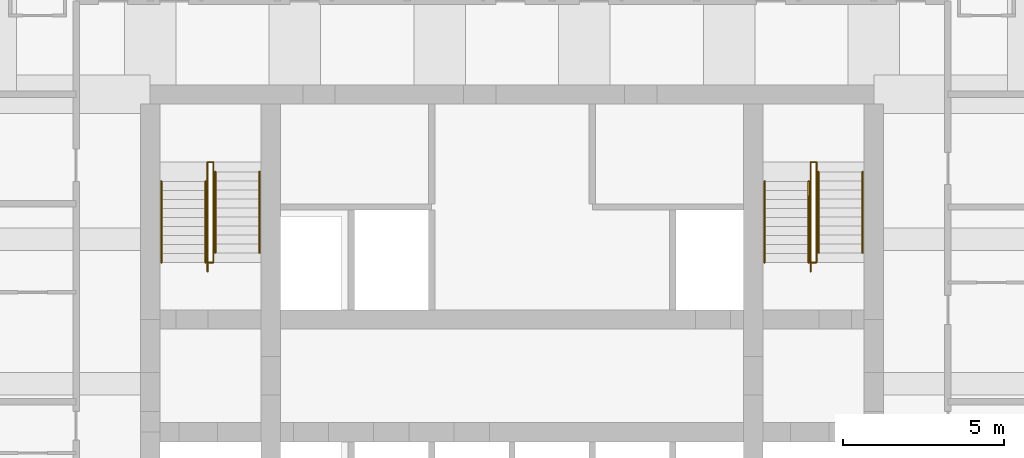
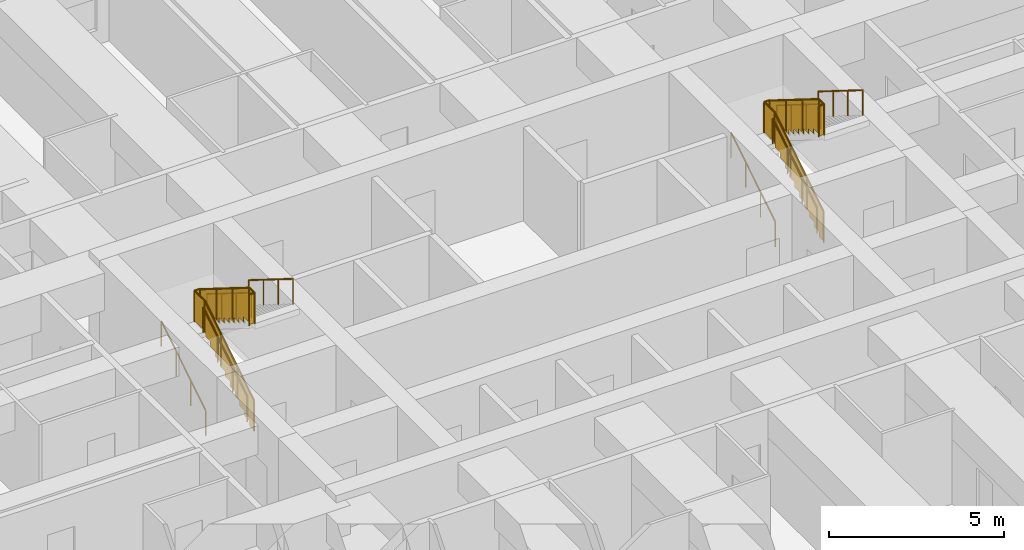
# One storey, part 8 of 8: 12 railings.
"""IFC4 building model written with IfcOpenShell, lengths in metres."""

import ifcopenshell
import ifcopenshell.guid

model = None  # the IFC model being written
_history = None  # IfcOwnerHistory: only IFC2X3 demands one
_inside = {}  # id of a spatial element -> (the spatial element, [elements in it])
_under = {}  # id of a project, library or spatial element -> (it, [spatial elements below it])
_declared = {}  # id of a project -> (the project, [libraries it declares])
_typed = {}  # id of a type object -> (the type object, [elements of that type])
_made_of = {}  # id of a material, layer set ... -> (it, [elements and type objects made of it])


def new_model(schema):
    """Start an empty IFC model of exactly this schema.

    Asked for "IFC4X3", IfcOpenShell would pick the latest addendum, in which some entities
    have other attributes; the version numbers below select the first issue.
    IFC2X3 requires an IfcOwnerHistory on every rooted entity: one is made here for all.
    """
    global model, _history
    if schema == "IFC4X3":
        model = ifcopenshell.file(schema_version=(4, 3, 0, 0))
    else:
        model = ifcopenshell.file(schema=schema)
    _inside.clear()
    _under.clear()
    _declared.clear()
    _typed.clear()
    _made_of.clear()
    _history = None
    if model.schema == "IFC2X3":
        org = make("IfcOrganization", Name="unknown")
        user = make(
            "IfcPersonAndOrganization",
            ThePerson=make("IfcPerson", FamilyName="unknown"),
            TheOrganization=org,
        )
        app = make(
            "IfcApplication",
            ApplicationDeveloper=org,
            Version="unknown",
            ApplicationFullName="unknown",
            ApplicationIdentifier="unknown",
        )
        _history = make(
            "IfcOwnerHistory",
            OwningUser=user,
            OwningApplication=app,
            ChangeAction="ADDED",
            CreationDate=0,
        )
    return model


def make(cls, **values):
    """One entity of the class cls with the attributes given. An attribute that is None is left unset."""
    return model.create_entity(
        cls, **{name: value for name, value in values.items() if value is not None}
    )


def rooted(cls, **values):
    """An entity with a GlobalId (a new one), such as an element, a storey or a relation."""
    return make(cls, GlobalId=ifcopenshell.guid.new(), OwnerHistory=_history, **values)


def si_unit(unit_type, name, prefix=None):
    """IfcSIUnit, for example si_unit("LENGTHUNIT", "METRE", prefix="MILLI")."""
    return make("IfcSIUnit", UnitType=unit_type, Prefix=prefix, Name=name)


def assignment(units):
    """IfcUnitAssignment: the units of a project."""
    return None if units is None else make("IfcUnitAssignment", Units=units)


def point(xyz):
    """IfcCartesianPoint."""
    return None if xyz is None else make("IfcCartesianPoint", Coordinates=xyz)


def direction(xyz):
    """IfcDirection."""
    return None if xyz is None else make("IfcDirection", DirectionRatios=xyz)


def frame(location, z_axis=None, x_axis=None):
    """IfcAxis2Placement3D, a coordinate frame: its origin and axes. An axis left out is left unset."""
    return make(
        "IfcAxis2Placement3D",
        Location=point(location),
        Axis=direction(z_axis),
        RefDirection=direction(x_axis),
    )


def frame_2d(location, x_axis=None):
    """IfcAxis2Placement2D, a coordinate frame in the plane: its origin and x axis."""
    return make(
        "IfcAxis2Placement2D", Location=point(location), RefDirection=direction(x_axis)
    )


def origin():
    """The frame at (0, 0, 0) with its axes left unset."""
    return frame((0.0, 0.0, 0.0))


def origin_2d():
    """The frame at (0, 0) in the plane with its x axis left unset."""
    return frame_2d((0.0, 0.0))


def place(relative_to, where):
    """IfcLocalPlacement: puts the frame where relative to a parent placement (None: the world)."""
    return make(
        "IfcLocalPlacement", PlacementRelTo=relative_to, RelativePlacement=where
    )


def context(
    kind, dimensions, precision=None, world=None, true_north=None, identifier=None
):
    """IfcGeometricRepresentationContext, for example the 3D "Model" context."""
    return make(
        "IfcGeometricRepresentationContext",
        ContextIdentifier=identifier,
        ContextType=kind,
        CoordinateSpaceDimension=dimensions,
        Precision=precision,
        WorldCoordinateSystem=world,
        TrueNorth=true_north,
    )


def subcontext(parent, identifier, kind, view, scale=None):
    """IfcGeometricRepresentationSubContext, for example "Body" below "Model"."""
    return make(
        "IfcGeometricRepresentationSubContext",
        ContextIdentifier=identifier,
        ContextType=kind,
        ParentContext=parent,
        TargetScale=scale,
        TargetView=view,
    )


def project(units=None, contexts=None):
    """IfcProject with its units and contexts."""
    return rooted(
        "IfcProject",
        Name="project",
        RepresentationContexts=contexts,
        UnitsInContext=assignment(units),
    )


def spatial(cls, under=None, at=None, **own):
    """A site, building, storey or space (cls), placed at a placement, below another one or the project."""
    s = rooted(cls, ObjectPlacement=at, **own)
    if under is not None:
        _under.setdefault(under.id(), (under, []))[1].append(s)
    return s


def polyline(points):
    """IfcPolyline through the points."""
    return make("IfcPolyline", Points=[point(p) for p in points])


def profile(cls, at=None, kind="AREA", **sizes):
    """A parametric profile (cls). Its sizes go by their IFC names, for example OverallWidth=200.0."""
    return make(cls, ProfileType=kind, Position=at, **sizes)


def circle(**sizes):
    """IfcCircleProfileDef."""
    return profile("IfcCircleProfileDef", **sizes)


def outline(outer, holes=None, kind="AREA"):
    """IfcArbitraryClosedProfileDef: a profile drawn as a closed curve; with holes, ...WithVoids."""
    if holes is None:
        return make("IfcArbitraryClosedProfileDef", ProfileType=kind, OuterCurve=outer)
    return make(
        "IfcArbitraryProfileDefWithVoids",
        ProfileType=kind,
        OuterCurve=outer,
        InnerCurves=holes,
    )


def extrude(swept, where, along, depth):
    """IfcExtrudedAreaSolid: the profile swept, set in the frame where, extruded along a direction by depth."""
    return make(
        "IfcExtrudedAreaSolid",
        SweptArea=swept,
        Position=where,
        ExtrudedDirection=direction(along),
        Depth=depth,
    )


def shape(context_of_items, identifier, shape_type, items):
    """IfcShapeRepresentation: the items that make up one representation, for example the "Body"."""
    return make(
        "IfcShapeRepresentation",
        ContextOfItems=context_of_items,
        RepresentationIdentifier=identifier,
        RepresentationType=shape_type,
        Items=items,
    )


def material(Name=None, Category=None):
    """IfcMaterial."""
    return make("IfcMaterial", Name=Name, Category=Category)


def made_of(thing, what):
    """Note that an element or type object is made of a material, layer set ...; save() writes the relation."""
    if what is not None:
        _made_of.setdefault(what.id(), (what, []))[1].append(thing)
    return thing


def type_object(cls, material=None, **own):
    """A type object (cls), such as IfcWallType, which elements share."""
    return made_of(rooted(cls, **own), material)


def element(
    cls,
    number,
    at=None,
    inside=None,
    cuts=None,
    type_object=None,
    material=None,
    context=None,
    identifier="Body",
    shape_type=None,
    held_by="IfcProductDefinitionShape",
    body=None,
    shapes=None,
    **own,
):
    """One element of the class cls, such as IfcWall. Its Tag is "e" and its number.

    at: its placement. inside: the storey or other place that contains it. cuts: it is an
    opening in that element (IfcRelVoidsElement). A single representation is given by context,
    identifier, shape_type and body (its items); several are given by shapes. held_by: the class
    of the entity that holds the representations. save() writes the other relations.
    """
    e = rooted(cls, Tag="e%d" % number, ObjectPlacement=at, **own)
    if body is not None:
        shapes = [shape(context, identifier, shape_type, body)]
    if shapes is not None:
        e.Representation = make(held_by, Representations=shapes)
    if inside is not None:
        _inside.setdefault(inside.id(), (inside, []))[1].append(e)
    if cuts is not None:
        rooted(
            "IfcRelVoidsElement", RelatingBuildingElement=cuts, RelatedOpeningElement=e
        )
    if type_object is not None:
        _typed.setdefault(type_object.id(), (type_object, []))[1].append(e)
    return made_of(e, material)


def aggregate(whole, parts):
    """IfcRelAggregates: a whole, such as a stair, and the parts it consists of."""
    return rooted("IfcRelAggregates", RelatingObject=whole, RelatedObjects=parts)


def save(model, path):
    """Write the relations noted so far, then the file.

    IfcRelAggregates (storeys below a building ...), IfcRelContainedInSpatialStructure (elements
    in a storey), IfcRelDefinesByType, IfcRelAssociatesMaterial and IfcRelDeclares: one each for
    every whole, place, type object, material and project.
    """
    for whole, parts in _under.values():
        aggregate(whole, parts)
    for where, things in _inside.values():
        rooted(
            "IfcRelContainedInSpatialStructure",
            RelatedElements=things,
            RelatingStructure=where,
        )
    for kind, things in _typed.values():
        rooted("IfcRelDefinesByType", RelatedObjects=things, RelatingType=kind)
    for what, things in _made_of.values():
        rooted("IfcRelAssociatesMaterial", RelatedObjects=things, RelatingMaterial=what)
    for by, libraries in _declared.values():
        rooted("IfcRelDeclares", RelatingContext=by, RelatedDefinitions=libraries)
    model.write(path)


model = new_model("IFC4")

# Units and contexts
model_context = context("Model", 3, precision=1e-05, world=origin(), true_north=direction((0.0, 1.0)))
body_context = subcontext(model_context, "Body", "Model", "MODEL_VIEW")
ifc_project = project(units=[si_unit("LENGTHUNIT", "METRE"), si_unit("AREAUNIT", "SQUARE_METRE"), si_unit("VOLUMEUNIT", "CUBIC_METRE"), si_unit("PLANEANGLEUNIT", "RADIAN"), si_unit("MASSUNIT", "GRAM", prefix="KILO")], contexts=[model_context])

# Site, building, storey
site_placement = place(None, origin())
site = spatial("IfcSite", under=ifc_project, at=site_placement, CompositionType="ELEMENT")
building_placement = place(site_placement, origin())
building = spatial("IfcBuilding", under=site, at=building_placement, Name="Kilele Tower Hotel", CompositionType="ELEMENT")
storey_placement = place(building_placement, frame((0.0, 0.0, 54.199951171875)))
storey = spatial("IfcBuildingStorey", under=building, at=storey_placement, Name="L12", CompositionType="ELEMENT", Elevation=54.199951171875)

# Railings
ifc_material_1 = material(Name="Steel handrail", Category="steel")
railing_type_1 = type_object("IfcRailingType", Name="Handrail 900", PredefinedType="HANDRAIL", material=ifc_material_1)
for number, where, name in (
    (1, (13.85009765625, 21.77490234375, 0.175048828125), "Handrail ST1 flight 1"),
    (2, (15.22509765625, 21.77490234375, 0.175048828125), "Handrail ST1 flight 1"),
):
    element("IfcRailing", number, at=place(storey_placement, frame(where)), inside=storey, type_object=railing_type_1, Name=name, PredefinedType="HANDRAIL", context=body_context, shape_type="SweptSolid", body=[
        extrude(circle(Radius=0.02490234375, at=origin_2d()), frame((0.0, 0.0, 0.875), z_axis=(0.0, 0.848007534815, 0.529984170421), x_axis=(-1.0, 0.0, 0.0)), (0.0, 0.0, 1.0), 2.9716796875),
        extrude(circle(Radius=0.02001953125, at=origin_2d()), origin(), (0.0, 0.0, 1.0), 0.849853515625),
        extrude(circle(Radius=0.02001953125, at=origin_2d()), frame((0.0, 0.840087890625, 0.52490234375)), (0.0, 0.0, 1.0), 0.849853515625),
        extrude(circle(Radius=0.02001953125, at=origin_2d()), frame((0.0, 1.679931640625, 1.050048828125)), (0.0, 0.0, 1.0), 0.849853515625),
        extrude(circle(Radius=0.02001953125, at=origin_2d()), frame((0.0, 2.52001953125, 1.574951171875)), (0.0, 0.0, 1.0), 0.849853515625),
    ])
for number, where, name in (
    (3, (15.52490234375, 24.594970703125, 1.925048828125), "Handrail ST1 flight 2"),
    (4, (16.89990234375, 24.594970703125, 1.925048828125), "Handrail ST1 flight 2"),
):
    element("IfcRailing", number, at=place(storey_placement, frame(where)), inside=storey, type_object=railing_type_1, Name=name, PredefinedType="HANDRAIL", context=body_context, shape_type="SweptSolid", body=[
        extrude(circle(Radius=0.02490234375, at=origin_2d()), frame((0.0, 0.0, 0.875), z_axis=(0.0, -0.848007534815, 0.529984170421), x_axis=(1.0, 0.0, 0.0)), (0.0, 0.0, 1.0), 2.9716796875),
        extrude(circle(Radius=0.02001953125, at=origin_2d()), origin(), (0.0, 0.0, 1.0), 0.849853515625),
        extrude(circle(Radius=0.02001953125, at=origin_2d()), frame((0.0, -0.840087890625, 0.52490234375)), (0.0, 0.0, 1.0), 0.849853515625),
        extrude(circle(Radius=0.02001953125, at=origin_2d()), frame((0.0, -1.679931640625, 1.050048828125)), (0.0, 0.0, 1.0), 0.849853515625),
        extrude(circle(Radius=0.02001953125, at=origin_2d()), frame((0.0, -2.52001953125, 1.574951171875)), (0.0, 0.0, 1.0), 0.849853515625),
    ])
for number, where, name in (
    (5, (32.60009765625, 21.77490234375, 0.175048828125), "Handrail ST2 flight 1"),
    (6, (33.97509765625, 21.77490234375, 0.175048828125), "Handrail ST2 flight 1"),
):
    element("IfcRailing", number, at=place(storey_placement, frame(where)), inside=storey, type_object=railing_type_1, Name=name, PredefinedType="HANDRAIL", context=body_context, shape_type="SweptSolid", body=[
        extrude(circle(Radius=0.02490234375, at=origin_2d()), frame((0.0, 0.0, 0.875), z_axis=(0.0, 0.848007534815, 0.529984170421), x_axis=(-1.0, 0.0, 0.0)), (0.0, 0.0, 1.0), 2.9716796875),
        extrude(circle(Radius=0.02001953125, at=origin_2d()), origin(), (0.0, 0.0, 1.0), 0.849853515625),
        extrude(circle(Radius=0.02001953125, at=origin_2d()), frame((0.0, 0.840087890625, 0.52490234375)), (0.0, 0.0, 1.0), 0.849853515625),
        extrude(circle(Radius=0.02001953125, at=origin_2d()), frame((0.0, 1.679931640625, 1.050048828125)), (0.0, 0.0, 1.0), 0.849853515625),
        extrude(circle(Radius=0.02001953125, at=origin_2d()), frame((0.0, 2.52001953125, 1.574951171875)), (0.0, 0.0, 1.0), 0.849853515625),
    ])
for number, where, name in (
    (7, (34.27490234375, 24.594970703125, 1.925048828125), "Handrail ST2 flight 2"),
    (8, (35.64990234375, 24.594970703125, 1.925048828125), "Handrail ST2 flight 2"),
):
    element("IfcRailing", number, at=place(storey_placement, frame(where)), inside=storey, type_object=railing_type_1, Name=name, PredefinedType="HANDRAIL", context=body_context, shape_type="SweptSolid", body=[
        extrude(circle(Radius=0.02490234375, at=origin_2d()), frame((0.0, 0.0, 0.875), z_axis=(0.0, -0.848007534815, 0.529984170421), x_axis=(1.0, 0.0, 0.0)), (0.0, 0.0, 1.0), 2.9716796875),
        extrude(circle(Radius=0.02001953125, at=origin_2d()), origin(), (0.0, 0.0, 1.0), 0.849853515625),
        extrude(circle(Radius=0.02001953125, at=origin_2d()), frame((0.0, -0.840087890625, 0.52490234375)), (0.0, 0.0, 1.0), 0.849853515625),
        extrude(circle(Radius=0.02001953125, at=origin_2d()), frame((0.0, -1.679931640625, 1.050048828125)), (0.0, 0.0, 1.0), 0.849853515625),
        extrude(circle(Radius=0.02001953125, at=origin_2d()), frame((0.0, -2.52001953125, 1.574951171875)), (0.0, 0.0, 1.0), 0.849853515625),
    ])
ifc_material_2 = material(Name="Steel guard", Category="steel")
railing_type_2 = type_object("IfcRailingType", Name="Stair guard 1100", PredefinedType="GUARDRAIL", material=ifc_material_2)
railing_1_placement = place(storey_placement, frame((15.284912109375, 21.4951171875, 0.0)))
element("IfcRailing", 9, at=railing_1_placement, inside=storey, type_object=railing_type_2, Name="Stair well guard ST1 flight 1", PredefinedType="GUARDRAIL", context=body_context, shape_type="SweptSolid", body=[
    extrude(circle(Radius=0.02490234375, at=origin_2d()), frame((0.0, 0.0, 1.0751953125), z_axis=(0.0, 0.847981687118, 0.530025526095), x_axis=(-1.0, 0.0, 0.0)), (0.0, 0.0, 1.0), 3.3017578125),
    extrude(circle(Radius=0.02490234375, at=origin_2d()), frame((0.0, 2.7998046875, 2.8251953125), z_axis=(0.0, 1.0, 0.0), x_axis=(-1.0, 0.0, 0.0)), (0.0, 0.0, 1.0), 0.60009765625),
    extrude(circle(Radius=0.02490234375, at=origin_2d()), frame((0.0, 3.39990234375, 2.8251953125), z_axis=(1.0, 0.0, 0.0), x_axis=(0.0, 1.0, 0.0)), (0.0, 0.0, 1.0), 0.18017578125),
    extrude(circle(Radius=0.02490234375, at=origin_2d()), origin(), (0.0, 0.0, 1.0), 1.050048828125),
    extrude(circle(Radius=0.02490234375, at=origin_2d()), frame((0.0, 0.933349609375, 0.583251953125)), (0.0, 0.0, 1.0), 1.050048828125),
    extrude(circle(Radius=0.02490234375, at=origin_2d()), frame((0.0, 1.866455078125, 1.166748046875)), (0.0, 0.0, 1.0), 1.050048828125),
    extrude(circle(Radius=0.02490234375, at=origin_2d()), frame((0.0, 2.7998046875, 1.75)), (0.0, 0.0, 1.0), 1.050048828125),
    extrude(circle(Radius=0.02490234375, at=origin_2d()), frame((0.0, 3.39990234375, 1.75)), (0.0, 0.0, 1.0), 1.050048828125),
    extrude(circle(Radius=0.02490234375, at=origin_2d()), frame((0.18017578125, 3.39990234375, 1.75)), (0.0, 0.0, 1.0), 1.050048828125),
    extrude(outline(polyline([(0.012451171875, 0.030029296875), (0.25, 0.030029296875), (0.25, 0.205078125), (0.530029296875, 0.205078125), (0.530029296875, 0.380126953125), (0.809814453125, 0.380126953125), (0.809814453125, 0.554931640625), (1.08984375, 0.554931640625), (1.08984375, 0.72998046875), (1.369873046875, 0.72998046875), (1.369873046875, 0.905029296875), (1.64990234375, 0.905029296875), (1.64990234375, 1.080078125), (1.929931640625, 1.080078125), (1.929931640625, 1.255126953125), (2.209716796875, 1.255126953125), (2.209716796875, 1.429931640625), (2.48974609375, 1.429931640625), (2.48974609375, 1.60498046875), (2.769775390625, 1.60498046875), (2.769775390625, 1.780029296875), (2.787353515625, 1.780029296875), (2.787353515625, 2.787841796875), (0.012451171875, 1.053466796875), (0.012451171875, 0.030029296875)])), frame((-0.005859375, 0.0, 0.0), z_axis=(1.0, 0.0, 0.0), x_axis=(0.0, 1.0, 0.0)), (0.0, 0.0, 1.0), 0.011962890625),
    extrude(outline(polyline([(0.012451171875, 0.030029296875), (0.587646484375, 0.030029296875), (0.587646484375, 1.050048828125), (0.012451171875, 1.050048828125), (0.012451171875, 0.030029296875)])), frame((-0.005859375, 2.7998046875, 1.75), z_axis=(1.0, 0.0, 0.0), x_axis=(0.0, 1.0, 0.0)), (0.0, 0.0, 1.0), 0.011962890625),
    extrude(outline(polyline([(0.012451171875, 0.030029296875), (0.18017578125, 0.030029296875), (0.18017578125, 1.050048828125), (0.012451171875, 1.050048828125), (0.012451171875, 0.030029296875)])), frame((0.0, 3.40576171875, 1.75), z_axis=(0.0, -1.0, 0.0), x_axis=(1.0, 0.0, 0.0)), (0.0, 0.0, 1.0), 0.011962890625),
])
railing_2_placement = place(storey_placement, frame((15.465087890625, 24.89501953125, 1.75)))
element("IfcRailing", 10, at=railing_2_placement, inside=storey, type_object=railing_type_2, Name="Stair well guard ST1 flight 2", PredefinedType="GUARDRAIL", context=body_context, shape_type="SweptSolid", body=[
    extrude(circle(Radius=0.02490234375, at=origin_2d()), frame((0.0, 0.0, 1.0751953125), z_axis=(0.0, -1.0, 0.0), x_axis=(1.0, 0.0, 0.0)), (0.0, 0.0, 1.0), 0.02001953125),
    extrude(circle(Radius=0.02490234375, at=origin_2d()), frame((0.0, -0.02001953125, 1.0751953125), z_axis=(0.0, -0.848002457836, 0.529992293815), x_axis=(1.0, 0.0, 0.0)), (0.0, 0.0, 1.0), 3.302001953125),
    extrude(circle(Radius=0.02490234375, at=origin_2d()), frame((0.0, -2.820068359375, 2.8251953125), z_axis=(0.0, -1.0, 0.0), x_axis=(1.0, 0.0, 0.0)), (0.0, 0.0, 1.0), 0.300048828125),
    extrude(circle(Radius=0.02490234375, at=origin_2d()), frame((0.0, -3.1201171875, 2.8251953125), z_axis=(-1.0, 0.0, 0.0), x_axis=(0.0, -1.0, 0.0)), (0.0, 0.0, 1.0), 0.18017578125),
    extrude(circle(Radius=0.02490234375, at=origin_2d()), origin(), (0.0, 0.0, 1.0), 1.050048828125),
    extrude(circle(Radius=0.02490234375, at=origin_2d()), frame((0.0, -0.02001953125, 0.0)), (0.0, 0.0, 1.0), 1.050048828125),
    extrude(circle(Radius=0.02490234375, at=origin_2d()), frame((0.0, -0.953369140625, 0.583251953125)), (0.0, 0.0, 1.0), 1.050048828125),
    extrude(circle(Radius=0.02490234375, at=origin_2d()), frame((0.0, -1.88671875, 1.166748046875)), (0.0, 0.0, 1.0), 1.050048828125),
    extrude(circle(Radius=0.02490234375, at=origin_2d()), frame((0.0, -2.820068359375, 1.75)), (0.0, 0.0, 1.0), 1.050048828125),
    extrude(circle(Radius=0.02490234375, at=origin_2d()), frame((0.0, -3.1201171875, 1.75)), (0.0, 0.0, 1.0), 1.050048828125),
    extrude(circle(Radius=0.02490234375, at=origin_2d()), frame((-0.18017578125, -3.1201171875, 1.75)), (0.0, 0.0, 1.0), 1.050048828125),
    extrude(outline(polyline([(0.012451171875, 0.030029296875), (0.25, 0.030029296875), (0.25, 0.205078125), (0.530029296875, 0.205078125), (0.530029296875, 0.380126953125), (0.81005859375, 0.380126953125), (0.81005859375, 0.554931640625), (1.090087890625, 0.554931640625), (1.090087890625, 0.72998046875), (1.3701171875, 0.72998046875), (1.3701171875, 0.905029296875), (1.64990234375, 0.905029296875), (1.64990234375, 1.080078125), (1.929931640625, 1.080078125), (1.929931640625, 1.255126953125), (2.2099609375, 1.255126953125), (2.2099609375, 1.429931640625), (2.489990234375, 1.429931640625), (2.489990234375, 1.60498046875), (2.77001953125, 1.60498046875), (2.77001953125, 1.780029296875), (2.78759765625, 1.780029296875), (2.78759765625, 2.787841796875), (0.012451171875, 1.053466796875), (0.012451171875, 0.030029296875)])), frame((0.005859375, -0.02001953125, 0.0), z_axis=(-1.0, 0.0, 0.0), x_axis=(0.0, -1.0, 0.0)), (0.0, 0.0, 1.0), 0.011962890625),
    extrude(outline(polyline([(0.012451171875, 0.030029296875), (0.28759765625, 0.030029296875), (0.28759765625, 1.050048828125), (0.012451171875, 1.050048828125), (0.012451171875, 0.030029296875)])), frame((0.005859375, -2.820068359375, 1.75), z_axis=(-1.0, 0.0, 0.0), x_axis=(0.0, -1.0, 0.0)), (0.0, 0.0, 1.0), 0.011962890625),
    extrude(outline(polyline([(0.012451171875, 0.030029296875), (0.18017578125, 0.030029296875), (0.18017578125, 1.050048828125), (0.012451171875, 1.050048828125), (0.012451171875, 0.030029296875)])), frame((0.0, -3.1259765625, 1.75), z_axis=(0.0, 1.0, 0.0), x_axis=(-1.0, 0.0, 0.0)), (0.0, 0.0, 1.0), 0.011962890625),
])
railing_3_placement = place(storey_placement, frame((34.034912109375, 21.4951171875, 0.0)))
element("IfcRailing", 11, at=railing_3_placement, inside=storey, type_object=railing_type_2, Name="Stair well guard ST2 flight 1", PredefinedType="GUARDRAIL", context=body_context, shape_type="SweptSolid", body=[
    extrude(circle(Radius=0.02490234375, at=origin_2d()), frame((0.0, 0.0, 1.0751953125), z_axis=(0.0, 0.847981687118, 0.530025526095), x_axis=(-1.0, 0.0, 0.0)), (0.0, 0.0, 1.0), 3.3017578125),
    extrude(circle(Radius=0.02490234375, at=origin_2d()), frame((0.0, 2.7998046875, 2.8251953125), z_axis=(0.0, 1.0, 0.0), x_axis=(-1.0, 0.0, 0.0)), (0.0, 0.0, 1.0), 0.60009765625),
    extrude(circle(Radius=0.02490234375, at=origin_2d()), frame((0.0, 3.39990234375, 2.8251953125), z_axis=(1.0, 0.0, 0.0), x_axis=(0.0, 1.0, 0.0)), (0.0, 0.0, 1.0), 0.18017578125),
    extrude(circle(Radius=0.02490234375, at=origin_2d()), origin(), (0.0, 0.0, 1.0), 1.050048828125),
    extrude(circle(Radius=0.02490234375, at=origin_2d()), frame((0.0, 0.933349609375, 0.583251953125)), (0.0, 0.0, 1.0), 1.050048828125),
    extrude(circle(Radius=0.02490234375, at=origin_2d()), frame((0.0, 1.866455078125, 1.166748046875)), (0.0, 0.0, 1.0), 1.050048828125),
    extrude(circle(Radius=0.02490234375, at=origin_2d()), frame((0.0, 2.7998046875, 1.75)), (0.0, 0.0, 1.0), 1.050048828125),
    extrude(circle(Radius=0.02490234375, at=origin_2d()), frame((0.0, 3.39990234375, 1.75)), (0.0, 0.0, 1.0), 1.050048828125),
    extrude(circle(Radius=0.02490234375, at=origin_2d()), frame((0.18017578125, 3.39990234375, 1.75)), (0.0, 0.0, 1.0), 1.050048828125),
    extrude(outline(polyline([(0.012451171875, 0.030029296875), (0.25, 0.030029296875), (0.25, 0.205078125), (0.530029296875, 0.205078125), (0.530029296875, 0.380126953125), (0.809814453125, 0.380126953125), (0.809814453125, 0.554931640625), (1.08984375, 0.554931640625), (1.08984375, 0.72998046875), (1.369873046875, 0.72998046875), (1.369873046875, 0.905029296875), (1.64990234375, 0.905029296875), (1.64990234375, 1.080078125), (1.929931640625, 1.080078125), (1.929931640625, 1.255126953125), (2.209716796875, 1.255126953125), (2.209716796875, 1.429931640625), (2.48974609375, 1.429931640625), (2.48974609375, 1.60498046875), (2.769775390625, 1.60498046875), (2.769775390625, 1.780029296875), (2.787353515625, 1.780029296875), (2.787353515625, 2.787841796875), (0.012451171875, 1.053466796875), (0.012451171875, 0.030029296875)])), frame((-0.005859375, 0.0, 0.0), z_axis=(1.0, 0.0, 0.0), x_axis=(0.0, 1.0, 0.0)), (0.0, 0.0, 1.0), 0.011962890625),
    extrude(outline(polyline([(0.012451171875, 0.030029296875), (0.587646484375, 0.030029296875), (0.587646484375, 1.050048828125), (0.012451171875, 1.050048828125), (0.012451171875, 0.030029296875)])), frame((-0.005859375, 2.7998046875, 1.75), z_axis=(1.0, 0.0, 0.0), x_axis=(0.0, 1.0, 0.0)), (0.0, 0.0, 1.0), 0.011962890625),
    extrude(outline(polyline([(0.012451171875, 0.030029296875), (0.18017578125, 0.030029296875), (0.18017578125, 1.050048828125), (0.012451171875, 1.050048828125), (0.012451171875, 0.030029296875)])), frame((0.0, 3.40576171875, 1.75), z_axis=(0.0, -1.0, 0.0), x_axis=(1.0, 0.0, 0.0)), (0.0, 0.0, 1.0), 0.011962890625),
])
railing_4_placement = place(storey_placement, frame((34.215087890625, 24.89501953125, 1.75)))
element("IfcRailing", 12, at=railing_4_placement, inside=storey, type_object=railing_type_2, Name="Stair well guard ST2 flight 2", PredefinedType="GUARDRAIL", context=body_context, shape_type="SweptSolid", body=[
    extrude(circle(Radius=0.02490234375, at=origin_2d()), frame((0.0, 0.0, 1.0751953125), z_axis=(0.0, -1.0, 0.0), x_axis=(1.0, 0.0, 0.0)), (0.0, 0.0, 1.0), 0.02001953125),
    extrude(circle(Radius=0.02490234375, at=origin_2d()), frame((0.0, -0.02001953125, 1.0751953125), z_axis=(0.0, -0.848002457836, 0.529992293815), x_axis=(1.0, 0.0, 0.0)), (0.0, 0.0, 1.0), 3.302001953125),
    extrude(circle(Radius=0.02490234375, at=origin_2d()), frame((0.0, -2.820068359375, 2.8251953125), z_axis=(0.0, -1.0, 0.0), x_axis=(1.0, 0.0, 0.0)), (0.0, 0.0, 1.0), 0.300048828125),
    extrude(circle(Radius=0.02490234375, at=origin_2d()), frame((0.0, -3.1201171875, 2.8251953125), z_axis=(-1.0, 0.0, 0.0), x_axis=(0.0, -1.0, 0.0)), (0.0, 0.0, 1.0), 0.18017578125),
    extrude(circle(Radius=0.02490234375, at=origin_2d()), origin(), (0.0, 0.0, 1.0), 1.050048828125),
    extrude(circle(Radius=0.02490234375, at=origin_2d()), frame((0.0, -0.02001953125, 0.0)), (0.0, 0.0, 1.0), 1.050048828125),
    extrude(circle(Radius=0.02490234375, at=origin_2d()), frame((0.0, -0.953369140625, 0.583251953125)), (0.0, 0.0, 1.0), 1.050048828125),
    extrude(circle(Radius=0.02490234375, at=origin_2d()), frame((0.0, -1.88671875, 1.166748046875)), (0.0, 0.0, 1.0), 1.050048828125),
    extrude(circle(Radius=0.02490234375, at=origin_2d()), frame((0.0, -2.820068359375, 1.75)), (0.0, 0.0, 1.0), 1.050048828125),
    extrude(circle(Radius=0.02490234375, at=origin_2d()), frame((0.0, -3.1201171875, 1.75)), (0.0, 0.0, 1.0), 1.050048828125),
    extrude(circle(Radius=0.02490234375, at=origin_2d()), frame((-0.18017578125, -3.1201171875, 1.75)), (0.0, 0.0, 1.0), 1.050048828125),
    extrude(outline(polyline([(0.012451171875, 0.030029296875), (0.25, 0.030029296875), (0.25, 0.205078125), (0.530029296875, 0.205078125), (0.530029296875, 0.380126953125), (0.81005859375, 0.380126953125), (0.81005859375, 0.554931640625), (1.090087890625, 0.554931640625), (1.090087890625, 0.72998046875), (1.3701171875, 0.72998046875), (1.3701171875, 0.905029296875), (1.64990234375, 0.905029296875), (1.64990234375, 1.080078125), (1.929931640625, 1.080078125), (1.929931640625, 1.255126953125), (2.2099609375, 1.255126953125), (2.2099609375, 1.429931640625), (2.489990234375, 1.429931640625), (2.489990234375, 1.60498046875), (2.77001953125, 1.60498046875), (2.77001953125, 1.780029296875), (2.78759765625, 1.780029296875), (2.78759765625, 2.787841796875), (0.012451171875, 1.053466796875), (0.012451171875, 0.030029296875)])), frame((0.005859375, -0.02001953125, 0.0), z_axis=(-1.0, 0.0, 0.0), x_axis=(0.0, -1.0, 0.0)), (0.0, 0.0, 1.0), 0.011962890625),
    extrude(outline(polyline([(0.012451171875, 0.030029296875), (0.28759765625, 0.030029296875), (0.28759765625, 1.050048828125), (0.012451171875, 1.050048828125), (0.012451171875, 0.030029296875)])), frame((0.005859375, -2.820068359375, 1.75), z_axis=(-1.0, 0.0, 0.0), x_axis=(0.0, -1.0, 0.0)), (0.0, 0.0, 1.0), 0.011962890625),
    extrude(outline(polyline([(0.012451171875, 0.030029296875), (0.18017578125, 0.030029296875), (0.18017578125, 1.050048828125), (0.012451171875, 1.050048828125), (0.012451171875, 0.030029296875)])), frame((0.0, -3.1259765625, 1.75), z_axis=(0.0, 1.0, 0.0), x_axis=(-1.0, 0.0, 0.0)), (0.0, 0.0, 1.0), 0.011962890625),
])

save(model, "model.ifc")
